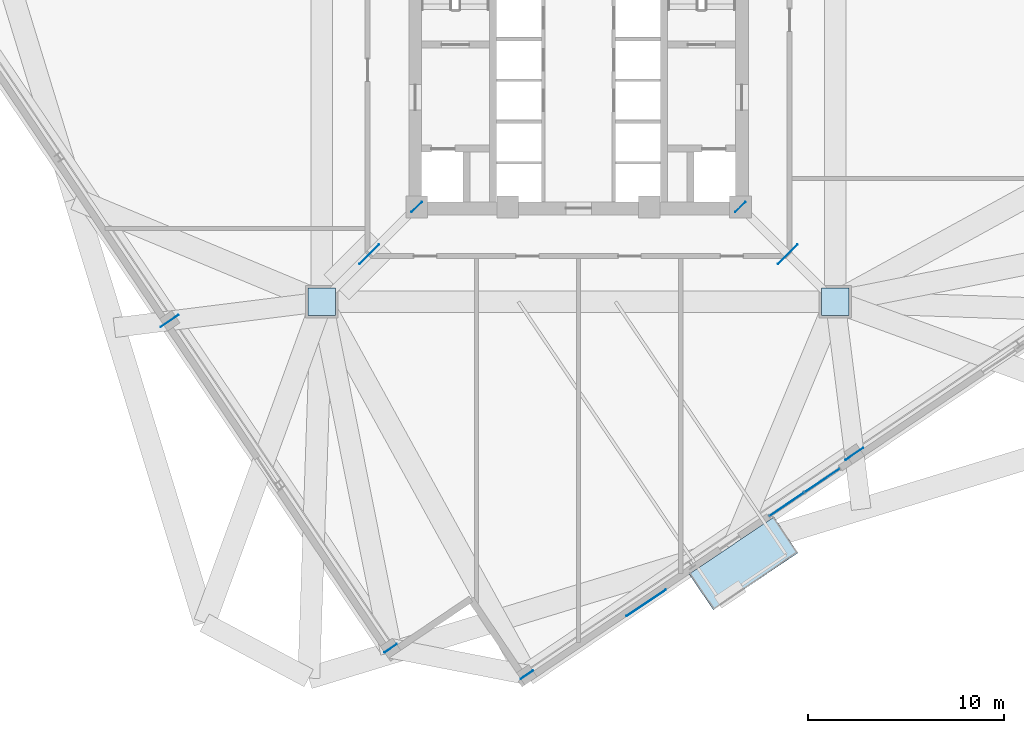
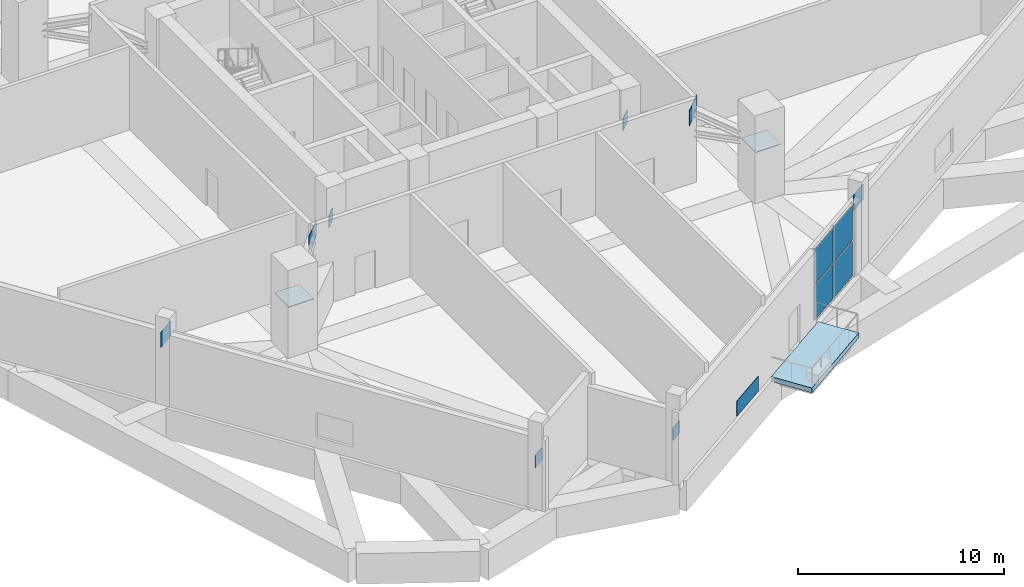
# One storey, part 11 of 21: 15 plates, 1 slab, 1 element without a shape of its own.
"""IFC4 building model written with IfcOpenShell, lengths in metres."""

from ifc_helpers import new_model, si_unit, direction, frame, origin, origin_2d, place, context, subcontext, project, spatial, polyline, rectangle, outline, extrude, source, transform, mapped, material, layer, layer_set, type_object, element, aggregate, save


model = new_model("IFC4")

# Units and contexts
model_context = context("Model", 3, precision=1e-05, world=origin(), true_north=direction((0.0, 1.0)))
body_context = subcontext(model_context, "Body", "Model", "MODEL_VIEW")
ifc_project = project(units=[si_unit("LENGTHUNIT", "METRE"), si_unit("AREAUNIT", "SQUARE_METRE"), si_unit("VOLUMEUNIT", "CUBIC_METRE"), si_unit("PLANEANGLEUNIT", "RADIAN"), si_unit("MASSUNIT", "GRAM", prefix="KILO"), si_unit("THERMODYNAMICTEMPERATUREUNIT", "KELVIN")], contexts=[model_context])

# Site, building, storey
site_placement = place(None, origin())
site = spatial("IfcSite", under=ifc_project, at=site_placement, CompositionType="ELEMENT")
building_placement = place(site_placement, origin())
building = spatial("IfcBuilding", under=site, at=building_placement, Name="Kosmvard Interchange Tower", CompositionType="ELEMENT")
storey_placement = place(building_placement, frame((0.0, 0.0, 139.199951171875)))
storey = spatial("IfcBuildingStorey", under=building, at=storey_placement, Name="L33", CompositionType="ELEMENT", Elevation=139.199951171875)

# Slab
ifc_material_1 = material(Name="Precast concrete C45/55", Category="concrete")
ifc_layer_1 = layer(ifc_material_1, 0.2900390625, Name="Precast concrete C45/55")
ifc_layer_set_1 = layer_set([ifc_layer_1], Name="Precast concrete C45/55")
slab_type = type_object("IfcSlabType", Name="Cascade Garden Terrace Slab 290 C45/55", PredefinedType="FLOOR", material=ifc_layer_set_1)
slab_placement = place(storey_placement, frame((0.0, 0.0, -0.2900390625)))
element("IfcSlab", 1, at=slab_placement, inside=storey, type_object=slab_type, Name="L33 Outdoor Terrace Balcony Slab SKG-L33-S", PredefinedType="FLOOR", context=body_context, shape_type="SweptSolid", body=[
    extrude(outline(polyline([(6.86767578125, -28.780029296875), (11.1787109375, -25.8720703125), (9.948486328125, -24.04833984375), (5.637451171875, -26.9560546875), (6.86767578125, -28.780029296875)])), origin(), (0.0, 0.0, 1.0), 0.2900390625),
])

# Plates
ifc_material_2 = material(Name="Steel S460", Category="steel")
ifc_layer_2 = layer(ifc_material_2, 0.031982421875, Name="Steel S460")
ifc_layer_set_2 = layer_set([ifc_layer_2], Name="Steel S460")
plate_type_1 = type_object("IfcPlateType", Name="Belt Truss Gusset Plate 1100x1100x32 S460", PredefinedType="USERDEFINED", material=ifc_layer_set_2)
shared_shape_1 = source(origin(), body_context, "Body", "SweptSolid", [
    extrude(rectangle(XDim=0.75, YDim=0.031982421875, at=origin_2d()), origin(), (0.0, 0.0, 1.0), 0.75),
])
for number, where, z_axis, x_axis, name in (
    (2, (-8.25, -8.25, 2.545166015625), (0.0, 0.0, 1.0), (0.707106781187, 0.707106781187, 0.0), "L33 Outrigger Core End Gusset Plate 1"),
    (3, (8.25, -8.25, 2.545166015625), (0.0, 0.0, 1.0), (0.707106781187, 0.707106781187, 0.0), "L33 Outrigger Core End Gusset Plate 2"),
    (4, (-2.634765625, -32.083251953125, 2.445068359375), (0.0, 0.0, 1.0), (0.829037572555, 0.559192903471, 0.0), "L33 Belt Truss End Gusset Plate BAS"),
    (5, (-9.575927734375, -30.734130859375, 2.445068359375), (0.0, 0.0, 1.0), (0.829037572555, 0.559192903471, 0.0), "L33 Belt Truss End Gusset Plate BBW"),
):
    element("IfcPlate", number, at=place(storey_placement, frame(where, z_axis=z_axis, x_axis=x_axis)), inside=storey, type_object=plate_type_1, Name=name, ObjectType="GUSSET_PLATE", PredefinedType="USERDEFINED", context=body_context, shape_type="MappedRepresentation", body=[
        mapped(shared_shape_1, transform((0.0, 0.0, 0.0), scale=1.0)),
    ])
ifc_layer_3 = layer(ifc_material_2, 0.035888671875, Name="Steel S460")
ifc_layer_set_3 = layer_set([ifc_layer_3], Name="Steel S460")
plate_type_2 = type_object("IfcPlateType", Name="Outrigger Node Gusset Plate 1400x1400x36 S460", PredefinedType="USERDEFINED", material=ifc_layer_set_3)
shared_shape_2 = source(origin(), body_context, "Body", "SweptSolid", [
    extrude(rectangle(XDim=1.39990234375, YDim=0.035888671875, at=origin_2d()), origin(), (0.0, 0.0, 1.0), 0.89990234375),
])
for number, where, z_axis, x_axis, name in (
    (6, (-10.66552734375, -10.66552734375, 3.690185546875), (0.0, 0.0, 1.0), (0.707106781187, 0.707106781187, 0.0), "L33 Outrigger Node Gusset Plate 1"),
    (7, (10.66552734375, -10.66552734375, 3.690185546875), (0.0, 0.0, 1.0), (0.707106781187, 0.707106781187, 0.0), "L33 Outrigger Node Gusset Plate 2"),
):
    element("IfcPlate", number, at=place(storey_placement, frame(where, z_axis=z_axis, x_axis=x_axis)), inside=storey, type_object=plate_type_2, Name=name, ObjectType="GUSSET_PLATE", PredefinedType="USERDEFINED", context=body_context, shape_type="MappedRepresentation", body=[
        mapped(shared_shape_2, transform((0.0, 0.0, 0.0), scale=1.0)),
    ])
ifc_layer_4 = layer(ifc_material_2, 0.034912109375, Name="Steel S460")
ifc_layer_set_4 = layer_set([ifc_layer_4], Name="Steel S460")
plate_type_3 = type_object("IfcPlateType", Name="Mega-Column Splice Flange Plate 1400x1400x35 S460", PredefinedType="USERDEFINED", material=ifc_layer_set_4)
shared_shape_3 = source(origin(), body_context, "Body", "SweptSolid", [
    extrude(rectangle(XDim=1.39990234375, YDim=1.39990234375, at=origin_2d()), origin(), (0.0, 0.0, 1.0), 0.034912109375),
])
for number, where, z_axis, x_axis, name in (
    (8, (-13.0810546875, -13.0810546875, 2.90283203125), (0.0, 0.0, 1.0), (1.0, 0.0, 0.0), "L33 Mega-Column Splice Flange Plate 1"),
    (9, (13.0810546875, -13.0810546875, 2.90283203125), (0.0, 0.0, 1.0), (1.0, 0.0, 0.0), "L33 Mega-Column Splice Flange Plate 2"),
):
    element("IfcPlate", number, at=place(storey_placement, frame(where, z_axis=z_axis, x_axis=x_axis)), inside=storey, type_object=plate_type_3, Name=name, ObjectType="FLANGE_PLATE", PredefinedType="USERDEFINED", context=body_context, shape_type="MappedRepresentation", body=[
        mapped(shared_shape_3, transform((0.0, 0.0, 0.0), scale=1.0)),
    ])
shared_shape_4 = source(origin(), body_context, "Body", "SweptSolid", [
    extrude(rectangle(XDim=1.10009765625, YDim=0.031982421875, at=origin_2d()), origin(), (0.0, 0.0, 1.0), 0.89990234375),
])
for number, where, z_axis, x_axis, name in (
    (10, (14.0498046875, -20.82958984375, 3.510009765625), (0.0, 0.0, 1.0), (0.829037572555, 0.559192903471, 0.0), "L33 Belt Truss Node Gusset Plate S"),
    (11, (-20.82958984375, -14.0498046875, 3.510009765625), (0.0, 0.0, 1.0), (0.829037572555, 0.559192903471, 0.0), "L33 Belt Truss Node Gusset Plate W"),
):
    element("IfcPlate", number, at=place(storey_placement, frame(where, z_axis=z_axis, x_axis=x_axis)), inside=storey, type_object=plate_type_1, Name=name, ObjectType="GUSSET_PLATE", PredefinedType="USERDEFINED", context=body_context, shape_type="MappedRepresentation", body=[
        mapped(shared_shape_4, transform((0.0, 0.0, 0.0), scale=1.0)),
    ])

# Curtain wall, plates
ifc_material_3 = material(Name="Architectural anodised aluminium", Category="aluminium")
ifc_layer_5 = layer(ifc_material_3, 0.179931640625, Name="Architectural anodised aluminium")
ifc_layer_set_5 = layer_set([ifc_layer_5], Name="Architectural anodised aluminium")
curtain_wall_type = type_object("IfcCurtainWallType", Name="CW-3 Sky-Garden Vestibule Curtain Wall", PredefinedType="NOTDEFINED", material=ifc_layer_set_5)
curtain_wall_placement = place(storey_placement, origin())
curtain_wall = element("IfcCurtainWall", 12, at=curtain_wall_placement, inside=storey, type_object=curtain_wall_type, Name="L33 Sky-Garden Curtain Wall S", PredefinedType="NOTDEFINED")
ifc_material_4 = material(Name="Low-E solar-control double glazing", Category="glass")
ifc_layer_6 = layer(ifc_material_4, 0.031982421875, Name="Low-E solar-control double glazing")
ifc_layer_set_6 = layer_set([ifc_layer_6], Name="Low-E solar-control double glazing")
plate_type_4 = type_object("IfcPlateType", Name="Sky-Garden Vision Curtain Panel 32", PredefinedType="CURTAIN_PANEL", material=ifc_layer_set_6)
shared_shape_5 = source(origin(), body_context, "Body", "SweptSolid", [
    extrude(rectangle(XDim=2.1025390625, YDim=0.031982421875, at=origin_2d()), origin(), (0.0, 0.0, 1.0), 2.080078125),
])
plate_1_placement = place(storey_placement, frame((10.613037109375, -23.39501953125, 0.06005859375), z_axis=(0.0, 0.0, 1.0), x_axis=(0.829037702623, 0.559192710637, 0.0)))
plate_1 = element("IfcPlate", 13, at=plate_1_placement, type_object=plate_type_4, Name="CW-3 panel 1.1", PredefinedType="CURTAIN_PANEL", context=body_context, shape_type="MappedRepresentation", body=[
    mapped(shared_shape_5, transform((0.0, 0.0, 0.0), scale=1.0)),
])
plate_2_placement = place(storey_placement, frame((10.613037109375, -23.39501953125, 2.199951171875), z_axis=(0.0, 0.0, 1.0), x_axis=(0.829037702623, 0.559192710637, 0.0)))
plate_2 = element("IfcPlate", 14, at=plate_2_placement, type_object=plate_type_4, Name="CW-3 panel 1.2", PredefinedType="CURTAIN_PANEL", context=body_context, shape_type="MappedRepresentation", body=[
    mapped(shared_shape_5, transform((0.0, 0.0, 0.0), scale=1.0)),
])
plate_3_placement = place(storey_placement, frame((12.409912109375, -22.182861328125, 0.06005859375), z_axis=(0.0, 0.0, 1.0), x_axis=(0.829037702623, 0.559192710637, 0.0)))
plate_3 = element("IfcPlate", 15, at=plate_3_placement, type_object=plate_type_4, Name="CW-3 panel 2.1", PredefinedType="CURTAIN_PANEL", context=body_context, shape_type="MappedRepresentation", body=[
    mapped(shared_shape_5, transform((0.0, 0.0, 0.0), scale=1.0)),
])
plate_4_placement = place(storey_placement, frame((12.409912109375, -22.182861328125, 2.199951171875), z_axis=(0.0, 0.0, 1.0), x_axis=(0.829037702623, 0.559192710637, 0.0)))
plate_4 = element("IfcPlate", 16, at=plate_4_placement, type_object=plate_type_4, Name="CW-3 panel 2.2", PredefinedType="CURTAIN_PANEL", context=body_context, shape_type="MappedRepresentation", body=[
    mapped(shared_shape_5, transform((0.0, 0.0, 0.0), scale=1.0)),
])
aggregate(curtain_wall, [plate_1, plate_2, plate_3, plate_4])

# Plate
ifc_layer_7 = layer(ifc_material_3, 0.0400390625, Name="Architectural anodised aluminium")
ifc_layer_set_7 = layer_set([ifc_layer_7], Name="Architectural anodised aluminium")
plate_type_5 = type_object("IfcPlateType", Name="Precast Spandrel Shadow Feature Sheet 2400x900x40", PredefinedType="SHEET", material=ifc_layer_set_7)
shared_shape_6 = source(origin(), body_context, "Body", "SweptSolid", [
    extrude(rectangle(XDim=0.0400390625, YDim=2.39990234375, at=origin_2d()), origin(), (0.0, 0.0, 1.0), 0.89990234375),
])
plate_5_placement = place(storey_placement, frame((3.449462890625, -28.424560546875, 0.050048828125), z_axis=(0.0, 0.0, 1.0), x_axis=(0.559192771654, -0.829037661466, 0.0)))
element("IfcPlate", 17, at=plate_5_placement, inside=storey, type_object=plate_type_5, Name="L33 Transfer Spandrel Fascia Sheet S", PredefinedType="SHEET", context=body_context, shape_type="MappedRepresentation", body=[
    mapped(shared_shape_6, transform((0.0, 0.0, 0.0), scale=1.0)),
])

save(model, "model.ifc")
